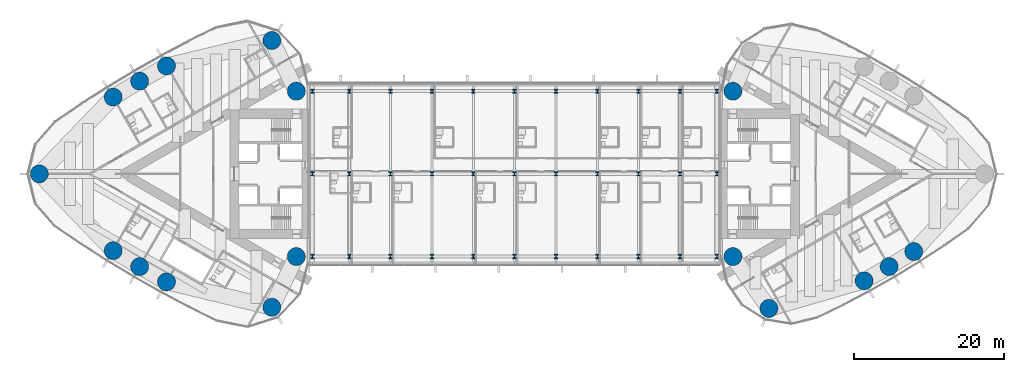
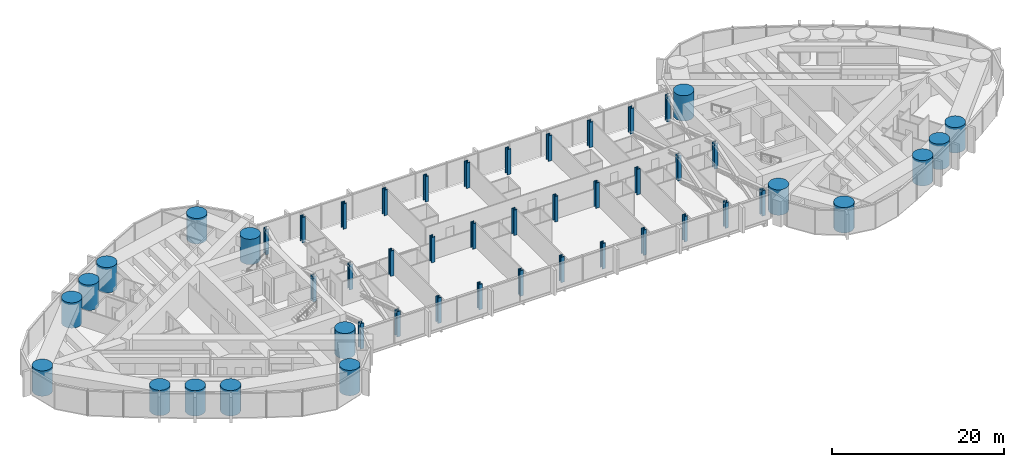
# One storey, part 1 of 24: 50 columns.
"""IFC4 building model written with IfcOpenShell, lengths in metres."""

from ifc_helpers import new_model, si_unit, direction, frame, origin, origin_2d, place, context, subcontext, project, spatial, circle, i_section, extrude, material, material_profile, profile_set, type_object, element, save


model = new_model("IFC4")

# Units and contexts
model_context = context("Model", 3, precision=1e-05, world=origin(), true_north=direction((0.0, 1.0)))
body_context = subcontext(model_context, "Body", "Model", "MODEL_VIEW")
ifc_project = project(units=[si_unit("LENGTHUNIT", "METRE"), si_unit("AREAUNIT", "SQUARE_METRE"), si_unit("VOLUMEUNIT", "CUBIC_METRE"), si_unit("PLANEANGLEUNIT", "RADIAN"), si_unit("MASSUNIT", "GRAM", prefix="KILO")], contexts=[model_context])

# Site, building, storey
site_placement = place(None, origin())
site = spatial("IfcSite", under=ifc_project, at=site_placement, CompositionType="ELEMENT")
building_placement = place(site_placement, origin())
building = spatial("IfcBuilding", under=site, at=building_placement, Name="Lancet Gate Hotel", CompositionType="ELEMENT")
storey_placement = place(building_placement, frame((0.0, 0.0, 244.10009765625)))
storey = spatial("IfcBuildingStorey", under=building, at=storey_placement, Name="L65", CompositionType="ELEMENT", Elevation=244.10009765625)

# Columns
ifc_material_1 = material(Name="Steel S460", Category="steel")
ifc_material_profile_1 = material_profile(ifc_material_1, i_section(OverallWidth=0.447998046875, OverallDepth=0.550048828125, WebThickness=0.072021484375, FlangeThickness=0.114990234375, FilletRadius=0.02001953125, at=origin_2d()), Name="HD 400x990")
ifc_profile_set_1 = profile_set([ifc_material_profile_1], Name="Steel S460")
column_type_1 = type_object("IfcColumnType", Name="Block column HD 400x990", PredefinedType="COLUMN", material=ifc_profile_set_1)
for number, where, z_axis, x_axis, name in (
    (1, (-26.89990234375, -11.0, 0.0), (0.0, 0.0, 1.0), (1.0, 0.0, 0.0), "Block column S0 L65"),
    (2, (-22.0, -11.0, 0.0), (0.0, 0.0, 1.0), (1.0, 0.0, 0.0), "Block column S1 L65"),
    (3, (-16.5, -11.0, 0.0), (0.0, 0.0, 1.0), (1.0, 0.0, 0.0), "Block column S2 L65"),
    (4, (-11.0, -11.0, 0.0), (0.0, 0.0, 1.0), (1.0, 0.0, 0.0), "Block column S3 L65"),
    (5, (-5.5, -11.0, 0.0), (0.0, 0.0, 1.0), (1.0, 0.0, 0.0), "Block column S4 L65"),
    (6, (0.0, -11.0, 0.0), (0.0, 0.0, 1.0), (1.0, 0.0, 0.0), "Block column S5 L65"),
    (7, (5.5, -11.0, 0.0), (0.0, 0.0, 1.0), (1.0, 0.0, 0.0), "Block column S6 L65"),
    (8, (11.0, -11.0, 0.0), (0.0, 0.0, 1.0), (1.0, 0.0, 0.0), "Block column S7 L65"),
    (9, (16.5, -11.0, 0.0), (0.0, 0.0, 1.0), (1.0, 0.0, 0.0), "Block column S8 L65"),
    (10, (22.0, -11.0, 0.0), (0.0, 0.0, 1.0), (1.0, 0.0, 0.0), "Block column S9 L65"),
    (11, (26.89990234375, -11.0, 0.0), (0.0, 0.0, 1.0), (1.0, 0.0, 0.0), "Block column S10 L65"),
    (12, (-26.89990234375, 0.0, 0.0), (0.0, 0.0, 1.0), (1.0, 0.0, 0.0), "Block column M0 L65"),
    (13, (-22.0, 0.0, 0.0), (0.0, 0.0, 1.0), (1.0, 0.0, 0.0), "Block column M1 L65"),
    (14, (-16.5, 0.0, 0.0), (0.0, 0.0, 1.0), (1.0, 0.0, 0.0), "Block column M2 L65"),
    (15, (-11.0, 0.0, 0.0), (0.0, 0.0, 1.0), (1.0, 0.0, 0.0), "Block column M3 L65"),
    (16, (-5.5, 0.0, 0.0), (0.0, 0.0, 1.0), (1.0, 0.0, 0.0), "Block column M4 L65"),
    (17, (0.0, 0.0, 0.0), (0.0, 0.0, 1.0), (1.0, 0.0, 0.0), "Block column M5 L65"),
    (18, (5.5, 0.0, 0.0), (0.0, 0.0, 1.0), (1.0, 0.0, 0.0), "Block column M6 L65"),
    (19, (11.0, 0.0, 0.0), (0.0, 0.0, 1.0), (1.0, 0.0, 0.0), "Block column M7 L65"),
    (20, (16.5, 0.0, 0.0), (0.0, 0.0, 1.0), (1.0, 0.0, 0.0), "Block column M8 L65"),
    (21, (22.0, 0.0, 0.0), (0.0, 0.0, 1.0), (1.0, 0.0, 0.0), "Block column M9 L65"),
    (22, (26.89990234375, 0.0, 0.0), (0.0, 0.0, 1.0), (1.0, 0.0, 0.0), "Block column M10 L65"),
    (23, (-26.89990234375, 11.0, 0.0), (0.0, 0.0, 1.0), (1.0, 0.0, 0.0), "Block column N0 L65"),
    (24, (-22.0, 11.0, 0.0), (0.0, 0.0, 1.0), (1.0, 0.0, 0.0), "Block column N1 L65"),
    (25, (-16.5, 11.0, 0.0), (0.0, 0.0, 1.0), (1.0, 0.0, 0.0), "Block column N2 L65"),
    (26, (-11.0, 11.0, 0.0), (0.0, 0.0, 1.0), (1.0, 0.0, 0.0), "Block column N3 L65"),
    (27, (-5.5, 11.0, 0.0), (0.0, 0.0, 1.0), (1.0, 0.0, 0.0), "Block column N4 L65"),
    (28, (0.0, 11.0, 0.0), (0.0, 0.0, 1.0), (1.0, 0.0, 0.0), "Block column N5 L65"),
    (29, (5.5, 11.0, 0.0), (0.0, 0.0, 1.0), (1.0, 0.0, 0.0), "Block column N6 L65"),
    (30, (11.0, 11.0, 0.0), (0.0, 0.0, 1.0), (1.0, 0.0, 0.0), "Block column N7 L65"),
    (31, (16.5, 11.0, 0.0), (0.0, 0.0, 1.0), (1.0, 0.0, 0.0), "Block column N8 L65"),
    (32, (22.0, 11.0, 0.0), (0.0, 0.0, 1.0), (1.0, 0.0, 0.0), "Block column N9 L65"),
    (33, (26.89990234375, 11.0, 0.0), (0.0, 0.0, 1.0), (1.0, 0.0, 0.0), "Block column N10 L65"),
):
    element("IfcColumn", number, at=place(storey_placement, frame(where, z_axis=z_axis, x_axis=x_axis)), inside=storey, type_object=column_type_1, Name=name, PredefinedType="COLUMN", context=body_context, shape_type="SweptSolid", body=[
        extrude(i_section(OverallWidth=0.447998046875, OverallDepth=0.550048828125, WebThickness=0.072021484375, FlangeThickness=0.114990234375, FilletRadius=0.02001953125, at=origin_2d()), origin(), (0.0, 0.0, 1.0), 3.599853515625),
    ])
ifc_material_2 = material(Name="Concrete C50/60", Category="concrete")
ifc_material_profile_2 = material_profile(ifc_material_2, circle(Radius=1.199951171875, at=origin_2d()), Name="RC D2400")
ifc_profile_set_2 = profile_set([ifc_material_profile_2], Name="Concrete C50/60")
column_type_2 = type_object("IfcColumnType", Name="Perimeter column RC D2400", PredefinedType="COLUMN", material=ifc_profile_set_2)
for number, where, z_axis, x_axis, name in (
    (34, (-63.234375, 0.0, 0.0), (0.0, 0.0, 1.0), (1.0, 0.0, 0.0), "T1 column CA L65"),
    (35, (-32.301025390625, -17.745361328125, 0.0), (0.0, 0.0, 1.0), (1.0, 0.0, 0.0), "T1 column CN L65"),
    (36, (-32.301025390625, 17.745361328125, 0.0), (0.0, 0.0, 1.0), (1.0, 0.0, 0.0), "T1 column CS L65"),
    (37, (-29.050048828125, -11.0, 0.0), (0.0, 0.0, 1.0), (1.0, 0.0, 0.0), "T1 column IN L65"),
    (38, (-29.050048828125, 11.0, 0.0), (0.0, 0.0, 1.0), (1.0, 0.0, 0.0), "T1 column IS L65"),
    (39, (-53.40771484375, -10.218994140625, 0.0), (0.0, 0.0, 1.0), (1.0, 0.0, 0.0), "T1 column ON1 L65"),
    (40, (-49.89013671875, -12.340087890625, 0.0), (0.0, 0.0, 1.0), (1.0, 0.0, 0.0), "T1 column ON2 L65"),
    (41, (-46.316650390625, -14.365478515625, 0.0), (0.0, 0.0, 1.0), (1.0, 0.0, 0.0), "T1 column ON3 L65"),
    (42, (-46.316650390625, 14.365478515625, 0.0), (0.0, 0.0, 1.0), (1.0, 0.0, 0.0), "T1 column OS1 L65"),
    (43, (-49.89013671875, 12.340087890625, 0.0), (0.0, 0.0, 1.0), (1.0, 0.0, 0.0), "T1 column OS2 L65"),
    (44, (-53.40771484375, 10.218994140625, 0.0), (0.0, 0.0, 1.0), (1.0, 0.0, 0.0), "T1 column OS3 L65"),
    (45, (33.837158203125, -17.906005859375, 0.0), (0.0, 0.0, 1.0), (1.0, 0.0, 0.0), "T2 column CS L65"),
    (46, (29.050048828125, 11.0, 0.0), (0.0, 0.0, 1.0), (1.0, 0.0, 0.0), "T2 column IN L65"),
    (47, (29.050048828125, -11.0, 0.0), (0.0, 0.0, 1.0), (1.0, 0.0, 0.0), "T2 column IS L65"),
    (48, (46.499267578125, -14.2255859375, 0.0), (0.0, 0.0, 1.0), (1.0, 0.0, 0.0), "T2 column OS1 L65"),
    (49, (49.833984375, -12.331787109375, 0.0), (0.0, 0.0, 1.0), (1.0, 0.0, 0.0), "T2 column OS2 L65"),
    (50, (53.107666015625, -10.333984375, 0.0), (0.0, 0.0, 1.0), (1.0, 0.0, 0.0), "T2 column OS3 L65"),
):
    element("IfcColumn", number, at=place(storey_placement, frame(where, z_axis=z_axis, x_axis=x_axis)), inside=storey, type_object=column_type_2, Name=name, PredefinedType="COLUMN", context=body_context, shape_type="SweptSolid", body=[
        extrude(circle(Radius=1.199951171875, at=origin_2d()), origin(), (0.0, 0.0, 1.0), 3.599853515625),
    ])

save(model, "model.ifc")
